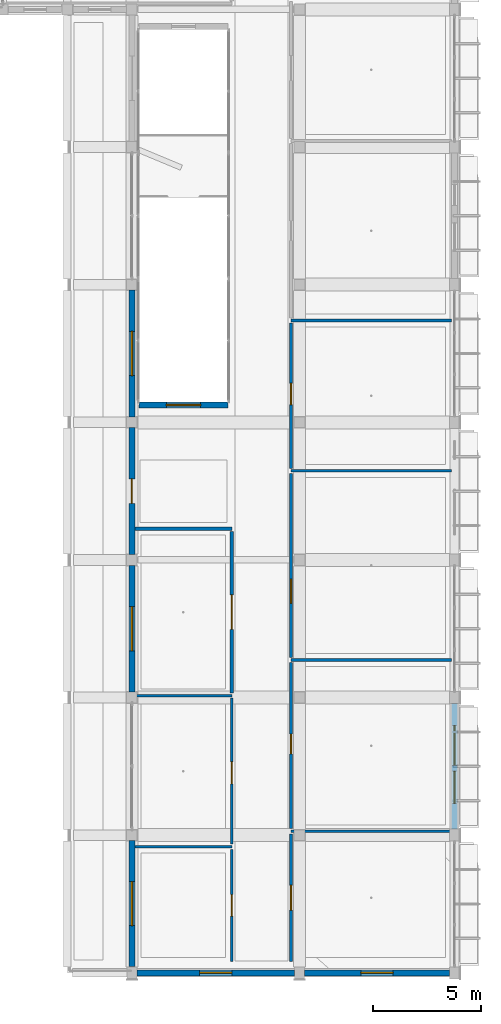
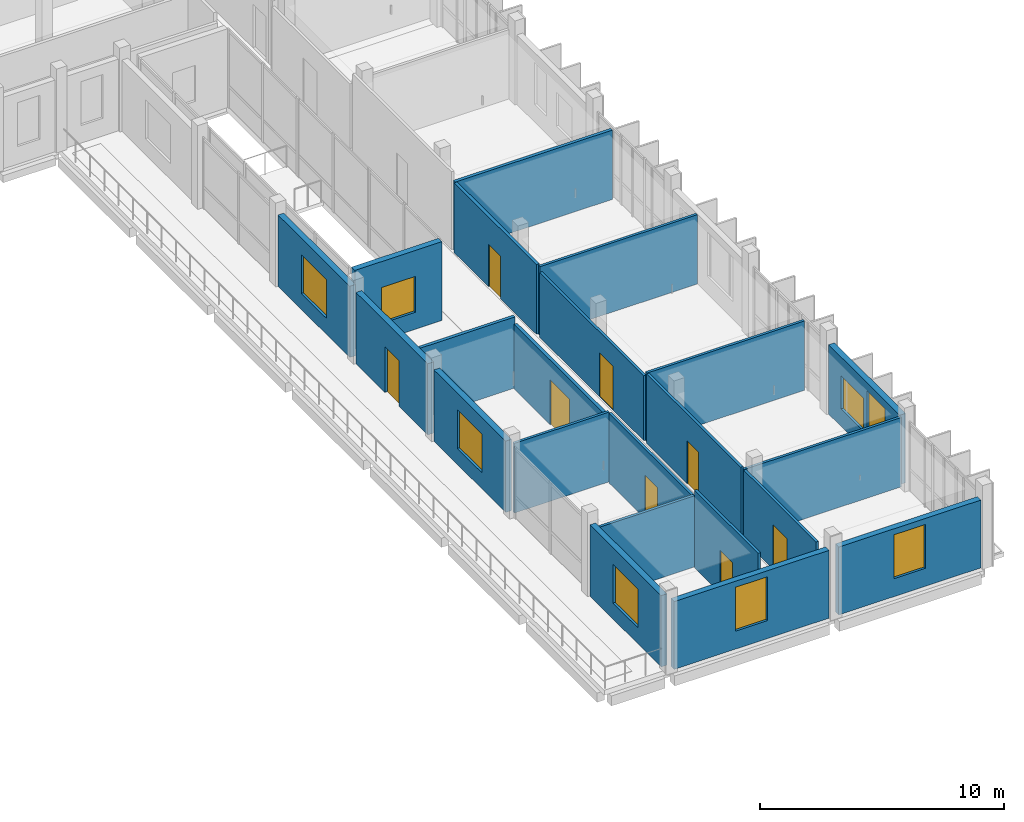
# One storey, part 52 of 85: 22 walls, 8 doors, 8 windows, 16 openings.
"""IFC4 building model written with IfcOpenShell, lengths in metres."""

from ifc_helpers import new_model, si_unit, derived_unit, direction, frame, frame_2d, origin, origin_with_axes, place, context, subcontext, project, spatial, rectangle, extrude, material, layer, layer_set, type_object, element, fill, save


model = new_model("IFC4")

# Units and contexts
model_context = context("Model", 3, precision=1e-05, world=origin(), true_north=direction((0.0, 1.0)))
body_context = subcontext(model_context, "Body", "Model", "MODEL_VIEW")
ifc_project = project(units=[si_unit("LENGTHUNIT", "METRE"), si_unit("AREAUNIT", "SQUARE_METRE"), si_unit("VOLUMEUNIT", "CUBIC_METRE"), si_unit("PLANEANGLEUNIT", "RADIAN"), si_unit("MASSUNIT", "GRAM", prefix="KILO"), derived_unit("THERMALTRANSMITTANCEUNIT", [(si_unit("POWERUNIT", "WATT"), 1), (si_unit("LENGTHUNIT", "METRE"), -2), (si_unit("THERMODYNAMICTEMPERATUREUNIT", "KELVIN"), -1)])], contexts=[model_context])

# Site, building, storey
site_placement = place(None, origin())
site = spatial("IfcSite", under=ifc_project, at=site_placement, CompositionType="ELEMENT")
building_placement = place(site_placement, origin())
building = spatial("IfcBuilding", under=site, at=building_placement, Name="Braskholm Square Health Centre", CompositionType="ELEMENT")
storey_placement = place(building_placement, frame((0.0, 0.0, 9.300048828125)))
storey = spatial("IfcBuildingStorey", under=building, at=storey_placement, Name="L03", CompositionType="ELEMENT", Elevation=9.300048828125)

# Wall, opening, door
ifc_material_1 = material(Name="Acoustic gypsum board partition")
ifc_layer_1 = layer(ifc_material_1, 0.125)
ifc_layer_set_1 = layer_set([ifc_layer_1], Name="Acoustic gypsum board partition")
wall_type_1 = type_object("IfcWallType", Name="ClinicalExamPartition125", PredefinedType="PARTITIONING", material=ifc_layer_set_1)
wall_1_placement = place(storey_placement, frame((156.199951171875, 4.719970703125, 0.0), z_axis=(0.0, 0.0, 1.0), x_axis=(0.0, 1.0, 0.0)))
wall_1 = element("IfcWall", 1, at=wall_1_placement, inside=storey, type_object=wall_type_1, Name="Interior partition PWALL-L03-0382", PredefinedType="PARTITIONING", context=body_context, shape_type="SweptSolid", body=[
    extrude(rectangle(XDim=5.93994140625, YDim=0.125, at=frame_2d((2.969970703125, 0.0))), origin(), (0.0, 0.0, 1.0), 3.494873046875),
])
opening_1_placement = place(wall_1_placement, frame((2.39990234375, 0.0, 0.0)))
opening_1 = element("IfcOpeningElement", 2, at=opening_1_placement, cuts=wall_1, Name="Opening D-26", PredefinedType="OPENING", context=body_context, shape_type="SweptSolid", body=[
    extrude(rectangle(XDim=1.139892578125, YDim=2.219970703125, at=frame_2d((0.56982421875, 1.10986328125))), frame((0.0, 0.072509765625, 0.0), z_axis=(0.0, -1.0, 0.0), x_axis=(1.0, 0.0, 0.0)), (0.0, 0.0, 1.0), 0.14501953125),
])
ifc_material_2 = material(Name="Architectural bronze anodised aluminium", Category="aluminium")
door_type_1 = type_object("IfcDoorType", Name="DoorExamWide1140x2220", OperationType="NOTDEFINED", PredefinedType="DOOR", material=ifc_material_2)
door_1_placement = place(opening_1_placement, frame((1.139892578125, 0.0, 0.0), z_axis=(0.0, 0.0, 1.0), x_axis=(-1.0, 0.0, 0.0)))
door_1 = element("IfcDoor", 3, at=door_1_placement, inside=storey, type_object=door_type_1, Name="Interior door 0179 L03", OperationType="SINGLE_SWING_LEFT", OverallHeight=2.219970703125, OverallWidth=1.139892578125, PredefinedType="DOOR", context=body_context, shape_type="SweptSolid", body=[
    extrude(rectangle(XDim=1.139892578125, YDim=2.219970703125, at=frame_2d((0.56982421875, 1.10986328125))), frame((0.0, 0.02490234375, 0.0), z_axis=(0.0, -1.0, 0.0), x_axis=(1.0, 0.0, 0.0)), (0.0, 0.0, 1.0), 0.050048828125),
])
fill(opening_1, door_1)

# Wall
wall_2_placement = place(storey_placement, frame((156.199951171875, 10.780029296875, 0.0), z_axis=(0.0, 0.0, 1.0), x_axis=(1.0, 0.0, 0.0)))
element("IfcWall", 4, at=wall_2_placement, inside=storey, type_object=wall_type_1, Name="Interior partition PWALL-L03-0383", PredefinedType="PARTITIONING", context=body_context, shape_type="SweptSolid", body=[
    extrude(rectangle(XDim=7.4599609375, YDim=0.125, at=frame_2d((3.72998046875, 0.0))), origin(), (0.0, 0.0, 1.0), 3.474853515625),
])

# Wall, opening, door
wall_3_placement = place(storey_placement, frame((156.199951171875, 10.89990234375, 0.0), z_axis=(0.0, 0.0, 1.0), x_axis=(0.0, 1.0, 0.0)))
wall_3 = element("IfcWall", 5, at=wall_3_placement, inside=storey, type_object=wall_type_1, Name="Interior partition PWALL-L03-0384", PredefinedType="PARTITIONING", context=body_context, shape_type="SweptSolid", body=[
    extrude(rectangle(XDim=7.72998046875, YDim=0.125, at=frame_2d((3.864990234375, 0.0))), origin(), (0.0, 0.0, 1.0), 3.494873046875),
])
opening_2_placement = place(wall_3_placement, frame((3.48193359375, 0.0, 0.0)))
opening_2 = element("IfcOpeningElement", 6, at=opening_2_placement, cuts=wall_3, Name="Opening D-01", PredefinedType="OPENING", context=body_context, shape_type="SweptSolid", body=[
    extrude(rectangle(XDim=0.919921875, YDim=2.14990234375, at=frame_2d((0.4599609375, 1.074951171875))), frame((0.0, 0.072509765625, 0.0), z_axis=(0.0, -1.0, 0.0), x_axis=(1.0, 0.0, 0.0)), (0.0, 0.0, 1.0), 0.14501953125),
])
door_type_2 = type_object("IfcDoorType", Name="DoorConsultSingle920x2150", OperationType="NOTDEFINED", PredefinedType="DOOR", material=ifc_material_2)
door_2_placement = place(opening_2_placement, frame((0.919921875, 0.0, 0.0), z_axis=(0.0, 0.0, 1.0), x_axis=(-1.0, 0.0, 0.0)))
door_2 = element("IfcDoor", 7, at=door_2_placement, inside=storey, type_object=door_type_2, Name="Interior door 0180 L03", OperationType="SINGLE_SWING_RIGHT", OverallHeight=2.14990234375, OverallWidth=0.919921875, PredefinedType="DOOR", context=body_context, shape_type="SweptSolid", body=[
    extrude(rectangle(XDim=0.919921875, YDim=2.14990234375, at=frame_2d((0.4599609375, 1.074951171875))), frame((0.0, 0.02490234375, 0.0), z_axis=(0.0, -1.0, 0.0), x_axis=(1.0, 0.0, 0.0)), (0.0, 0.0, 1.0), 0.050048828125),
])
fill(opening_2, door_2)

# Wall
wall_4_placement = place(storey_placement, frame((156.199951171875, 18.75, 0.0), z_axis=(0.0, 0.0, 1.0), x_axis=(1.0, 0.0, 0.0)))
element("IfcWall", 8, at=wall_4_placement, inside=storey, type_object=wall_type_1, Name="Interior partition PWALL-L03-0385", PredefinedType="PARTITIONING", context=body_context, shape_type="SweptSolid", body=[
    extrude(rectangle(XDim=7.4599609375, YDim=0.125, at=frame_2d((3.72998046875, 0.0))), origin(), (0.0, 0.0, 1.0), 3.474853515625),
])

# Wall, opening, door
wall_5_placement = place(storey_placement, frame((156.199951171875, 18.8701171875, 0.0), z_axis=(0.0, 0.0, 1.0), x_axis=(0.0, 1.0, 0.0)))
wall_5 = element("IfcWall", 9, at=wall_5_placement, inside=storey, type_object=wall_type_1, Name="Interior partition PWALL-L03-0386", PredefinedType="PARTITIONING", context=body_context, shape_type="SweptSolid", body=[
    extrude(rectangle(XDim=8.5498046875, YDim=0.125, at=frame_2d((4.27490234375, 0.0))), origin(), (0.0, 0.0, 1.0), 3.244873046875),
])
opening_3_placement = place(wall_5_placement, frame((2.512939453125, 0.0, 0.0)))
opening_3 = element("IfcOpeningElement", 10, at=opening_3_placement, cuts=wall_5, Name="Opening D-03", PredefinedType="OPENING", context=body_context, shape_type="SweptSolid", body=[
    extrude(rectangle(XDim=1.1201171875, YDim=2.199951171875, at=frame_2d((0.56005859375, 1.10009765625))), frame((0.0, 0.072509765625, 0.0), z_axis=(0.0, -1.0, 0.0), x_axis=(1.0, 0.0, 0.0)), (0.0, 0.0, 1.0), 0.14501953125),
])
door_type_3 = type_object("IfcDoorType", Name="DoorProcedure1120x2200", OperationType="NOTDEFINED", PredefinedType="DOOR", material=ifc_material_2)
door_3_placement = place(opening_3_placement, frame((1.1201171875, 0.0, 0.0), z_axis=(0.0, 0.0, 1.0), x_axis=(-1.0, 0.0, 0.0)))
door_3 = element("IfcDoor", 11, at=door_3_placement, inside=storey, type_object=door_type_3, Name="Interior door 0181 L03", OperationType="SINGLE_SWING_LEFT", OverallHeight=2.199951171875, OverallWidth=1.1201171875, PredefinedType="DOOR", context=body_context, shape_type="SweptSolid", body=[
    extrude(rectangle(XDim=1.1201171875, YDim=2.199951171875, at=frame_2d((0.56005859375, 1.10009765625))), frame((0.0, 0.02490234375, 0.0), z_axis=(0.0, -1.0, 0.0), x_axis=(1.0, 0.0, 0.0)), (0.0, 0.0, 1.0), 0.050048828125),
])
fill(opening_3, door_3)

# Wall
wall_6_placement = place(storey_placement, frame((156.199951171875, 27.5400390625, 0.0), z_axis=(0.0, 0.0, 1.0), x_axis=(1.0, 0.0, 0.0)))
element("IfcWall", 12, at=wall_6_placement, inside=storey, type_object=wall_type_1, Name="Interior partition PWALL-L03-0387", PredefinedType="PARTITIONING", context=body_context, shape_type="SweptSolid", body=[
    extrude(rectangle(XDim=7.4599609375, YDim=0.125, at=frame_2d((3.72998046875, 0.0))), origin(), (0.0, 0.0, 1.0), 3.474853515625),
])

# Wall, opening, door
wall_7_placement = place(storey_placement, frame((153.449951171875, 4.719970703125, 0.0), z_axis=(0.0, 0.0, 1.0), x_axis=(0.0, 1.0, 0.0)))
wall_7 = element("IfcWall", 13, at=wall_7_placement, inside=storey, type_object=wall_type_1, Name="Interior partition PWALL-L03-0409", PredefinedType="PARTITIONING", context=body_context, shape_type="SweptSolid", body=[
    extrude(rectangle(XDim=5.219970703125, YDim=0.125, at=frame_2d((2.60986328125, 0.0))), origin(), (0.0, 0.0, 1.0), 3.89501953125),
])
opening_4_placement = place(wall_7_placement, frame((2.110107421875, 0.0, 0.0)))
opening_4 = element("IfcOpeningElement", 14, at=opening_4_placement, cuts=wall_7, Name="Opening D-02", PredefinedType="OPENING", context=body_context, shape_type="SweptSolid", body=[
    extrude(rectangle(XDim=1.0, YDim=2.14990234375, at=frame_2d((0.5, 1.074951171875))), frame((0.0, 0.072509765625, 0.0), z_axis=(0.0, -1.0, 0.0), x_axis=(1.0, 0.0, 0.0)), (0.0, 0.0, 1.0), 0.14501953125),
])
door_type_4 = type_object("IfcDoorType", Name="DoorExamSingle1000x2150", OperationType="NOTDEFINED", PredefinedType="DOOR", material=ifc_material_2)
door_4_placement = place(opening_4_placement, origin_with_axes())
door_4 = element("IfcDoor", 15, at=door_4_placement, inside=storey, type_object=door_type_4, Name="Interior door 0193 L03", OperationType="SINGLE_SWING_LEFT", OverallHeight=2.14990234375, OverallWidth=1.0, PredefinedType="DOOR", context=body_context, shape_type="SweptSolid", body=[
    extrude(rectangle(XDim=1.0, YDim=2.14990234375, at=frame_2d((0.5, 1.074951171875))), frame((0.0, 0.02490234375, 0.0), z_axis=(0.0, -1.0, 0.0), x_axis=(1.0, 0.0, 0.0)), (0.0, 0.0, 1.0), 0.050048828125),
])
fill(opening_4, door_4)

# Wall
wall_8_placement = place(storey_placement, frame((148.93994140625, 10.06005859375, 0.0), z_axis=(0.0, 0.0, 1.0), x_axis=(1.0, 0.0, 0.0)))
element("IfcWall", 16, at=wall_8_placement, inside=storey, type_object=wall_type_1, Name="Interior partition PWALL-L03-0410", PredefinedType="PARTITIONING", context=body_context, shape_type="SweptSolid", body=[
    extrude(rectangle(XDim=4.510009765625, YDim=0.125, at=frame_2d((2.2548828125, 0.0))), origin(), (0.0, 0.0, 1.0), 3.56494140625),
])

# Wall, opening, door
wall_9_placement = place(storey_placement, frame((153.449951171875, 10.179931640625, 0.0), z_axis=(0.0, 0.0, 1.0), x_axis=(0.0, 1.0, 0.0)))
wall_9 = element("IfcWall", 17, at=wall_9_placement, inside=storey, type_object=wall_type_1, Name="Interior partition PWALL-L03-0411", PredefinedType="PARTITIONING", context=body_context, shape_type="SweptSolid", body=[
    extrude(rectangle(XDim=6.7900390625, YDim=0.125, at=frame_2d((3.39501953125, 0.0))), origin(), (0.0, 0.0, 1.0), 3.494873046875),
])
opening_5_placement = place(wall_9_placement, frame((2.81005859375, 0.0, 0.0)))
opening_5 = element("IfcOpeningElement", 18, at=opening_5_placement, cuts=wall_9, Name="Opening D-25", PredefinedType="OPENING", context=body_context, shape_type="SweptSolid", body=[
    extrude(rectangle(XDim=1.02001953125, YDim=2.179931640625, at=frame_2d((0.510009765625, 1.08984375))), frame((0.0, 0.072509765625, 0.0), z_axis=(0.0, -1.0, 0.0), x_axis=(1.0, 0.0, 0.0)), (0.0, 0.0, 1.0), 0.14501953125),
])
door_type_5 = type_object("IfcDoorType", Name="DoorConsultWide1020x2180", OperationType="NOTDEFINED", PredefinedType="DOOR", material=ifc_material_2)
door_5_placement = place(opening_5_placement, origin_with_axes())
door_5 = element("IfcDoor", 19, at=door_5_placement, inside=storey, type_object=door_type_5, Name="Interior door 0194 L03", OperationType="SINGLE_SWING_RIGHT", OverallHeight=2.179931640625, OverallWidth=1.02001953125, PredefinedType="DOOR", context=body_context, shape_type="SweptSolid", body=[
    extrude(rectangle(XDim=1.02001953125, YDim=2.179931640625, at=frame_2d((0.510009765625, 1.08984375))), frame((0.0, 0.02490234375, 0.0), z_axis=(0.0, -1.0, 0.0), x_axis=(1.0, 0.0, 0.0)), (0.0, 0.0, 1.0), 0.050048828125),
])
fill(opening_5, door_5)

# Wall
wall_10_placement = place(storey_placement, frame((148.93994140625, 17.090087890625, 0.0), z_axis=(0.0, 0.0, 1.0), x_axis=(1.0, 0.0, 0.0)))
element("IfcWall", 20, at=wall_10_placement, inside=storey, type_object=wall_type_1, Name="Interior partition PWALL-L03-0412", PredefinedType="PARTITIONING", context=body_context, shape_type="SweptSolid", body=[
    extrude(rectangle(XDim=4.510009765625, YDim=0.125, at=frame_2d((2.2548828125, 0.0))), origin(), (0.0, 0.0, 1.0), 3.494873046875),
])

# Wall, opening, door
ifc_layer_2 = layer(ifc_material_1, 0.14990234375)
ifc_layer_set_2 = layer_set([ifc_layer_2], Name="Acoustic gypsum board partition")
wall_type_2 = type_object("IfcWallType", Name="CorridorAcousticPartition150", PredefinedType="PARTITIONING", material=ifc_layer_set_2)
wall_11_placement = place(storey_placement, frame((156.199951171875, 27.659912109375, 0.0), z_axis=(0.0, 0.0, 1.0), x_axis=(0.0, 1.0, 0.0)))
wall_11 = element("IfcWall", 21, at=wall_11_placement, inside=storey, type_object=wall_type_2, Name="Interior partition PWALL-L03-0388", PredefinedType="PARTITIONING", context=body_context, shape_type="SweptSolid", body=[
    extrude(rectangle(XDim=6.760009765625, YDim=0.14990234375, at=frame_2d((3.3798828125, 0.0))), origin(), (0.0, 0.0, 1.0), 3.494873046875),
])
opening_6_placement = place(wall_11_placement, frame((2.965087890625, 0.0, 0.0)))
opening_6 = element("IfcOpeningElement", 22, at=opening_6_placement, cuts=wall_11, Name="Opening D-10", PredefinedType="OPENING", context=body_context, shape_type="SweptSolid", body=[
    extrude(rectangle(XDim=0.97998046875, YDim=2.1201171875, at=frame_2d((0.489990234375, 1.06005859375))), frame((0.0, 0.0849609375, 0.0), z_axis=(0.0, -1.0, 0.0), x_axis=(1.0, 0.0, 0.0)), (0.0, 0.0, 1.0), 0.169921875),
])
door_type_6 = type_object("IfcDoorType", Name="DoorUtilityStore980x2120", OperationType="NOTDEFINED", PredefinedType="DOOR", material=ifc_material_2)
door_6_placement = place(opening_6_placement, frame((0.97998046875, 0.0, 0.0), z_axis=(0.0, 0.0, 1.0), x_axis=(-1.0, 0.0, 0.0)))
door_6 = element("IfcDoor", 23, at=door_6_placement, inside=storey, type_object=door_type_6, Name="Interior door 0182 L03", OperationType="SINGLE_SWING_RIGHT", OverallHeight=2.1201171875, OverallWidth=0.97998046875, PredefinedType="DOOR", context=body_context, shape_type="SweptSolid", body=[
    extrude(rectangle(XDim=0.97998046875, YDim=2.1201171875, at=frame_2d((0.489990234375, 1.06005859375))), frame((0.0, 0.02490234375, 0.0), z_axis=(0.0, -1.0, 0.0), x_axis=(1.0, 0.0, 0.0)), (0.0, 0.0, 1.0), 0.050048828125),
])
fill(opening_6, door_6)

# Wall
wall_12_placement = place(storey_placement, frame((156.199951171875, 34.5400390625, 0.0), z_axis=(0.0, 0.0, 1.0), x_axis=(1.0, 0.0, 0.0)))
element("IfcWall", 24, at=wall_12_placement, inside=storey, type_object=wall_type_2, Name="Interior partition PWALL-L03-0389", PredefinedType="PARTITIONING", context=body_context, shape_type="SweptSolid", body=[
    extrude(rectangle(XDim=7.4599609375, YDim=0.14990234375, at=frame_2d((3.72998046875, 0.0))), origin(), (0.0, 0.0, 1.0), 3.474853515625),
])

# Wall, opening, door
wall_13_placement = place(storey_placement, frame((153.449951171875, 17.2099609375, 0.0), z_axis=(0.0, 0.0, 1.0), x_axis=(0.0, 1.0, 0.0)))
wall_13 = element("IfcWall", 25, at=wall_13_placement, inside=storey, type_object=wall_type_2, Name="Interior partition PWALL-L03-0413", PredefinedType="PARTITIONING", context=body_context, shape_type="SweptSolid", body=[
    extrude(rectangle(XDim=7.52001953125, YDim=0.14990234375, at=frame_2d((3.760009765625, 0.0))), origin(), (0.0, 0.0, 1.0), 3.244873046875),
])
opening_7_placement = place(wall_13_placement, frame((2.9599609375, 0.0, 0.0)))
opening_7 = element("IfcOpeningElement", 26, at=opening_7_placement, cuts=wall_13, Name="Opening D-11", PredefinedType="OPENING", context=body_context, shape_type="SweptSolid", body=[
    extrude(rectangle(XDim=1.60009765625, YDim=2.25, at=frame_2d((0.800048828125, 1.125))), frame((0.0, 0.0849609375, 0.0), z_axis=(0.0, -1.0, 0.0), x_axis=(1.0, 0.0, 0.0)), (0.0, 0.0, 1.0), 0.169921875),
])
door_type_7 = type_object("IfcDoorType", Name="DoorClassroomDouble1600x2250", OperationType="DOUBLE_DOOR_SINGLE_SWING", PredefinedType="DOOR", material=ifc_material_2)
door_7_placement = place(opening_7_placement, origin_with_axes())
door_7 = element("IfcDoor", 27, at=door_7_placement, inside=storey, type_object=door_type_7, Name="Interior door 0195 L03", OperationType="DOUBLE_DOOR_SINGLE_SWING", OverallHeight=2.25, OverallWidth=1.60009765625, PredefinedType="DOOR", context=body_context, shape_type="SweptSolid", body=[
    extrude(rectangle(XDim=1.60009765625, YDim=2.25, at=frame_2d((0.800048828125, 1.125))), frame((0.0, 0.02490234375, 0.0), z_axis=(0.0, -1.0, 0.0), x_axis=(1.0, 0.0, 0.0)), (0.0, 0.0, 1.0), 0.050048828125),
])
fill(opening_7, door_7)

# Wall
wall_14_placement = place(storey_placement, frame((148.93994140625, 24.85009765625, 0.0), z_axis=(0.0, 0.0, 1.0), x_axis=(1.0, 0.0, 0.0)))
element("IfcWall", 28, at=wall_14_placement, inside=storey, type_object=wall_type_2, Name="Interior partition PWALL-L03-0414", PredefinedType="PARTITIONING", context=body_context, shape_type="SweptSolid", body=[
    extrude(rectangle(XDim=4.510009765625, YDim=0.14990234375, at=frame_2d((2.2548828125, 0.0))), origin(), (0.0, 0.0, 1.0), 3.56494140625),
])

# Wall, openings, windows
ifc_material_3 = material(Name="Precast concrete C40/50 architectural white", Category="concrete")
ifc_layer_3 = layer(ifc_material_3, 0.280029296875)
ifc_layer_set_3 = layer_set([ifc_layer_3], Name="Precast concrete C40/50 architectural white")
wall_type_3 = type_object("IfcWallType", Name="ExteriorPrecastSpandrelWall280", PredefinedType="SOLIDWALL", material=ifc_layer_set_3)
wall_15_placement = place(storey_placement, frame((163.800048828125, 10.882080078125, 0.0), z_axis=(0.0, 0.0, 1.0), x_axis=(0.0, 1.0, 0.0)))
wall_15 = element("IfcWall", 29, at=wall_15_placement, inside=storey, type_object=wall_type_3, Name="Exterior wall EWALL-L03-0070", PredefinedType="SOLIDWALL", context=body_context, shape_type="SweptSolid", body=[
    extrude(rectangle(XDim=5.8359375, YDim=0.280029296875, at=frame_2d((2.91796875, 0.0))), origin(), (0.0, 0.0, 1.0), 3.47998046875),
])
opening_8_placement = place(wall_15_placement, frame((1.195068359375, 0.0, 0.8798828125)))
opening_8 = element("IfcOpeningElement", 30, at=opening_8_placement, cuts=wall_15, Name="Opening WN-03", PredefinedType="OPENING", context=body_context, shape_type="SweptSolid", body=[
    extrude(rectangle(XDim=1.5, YDim=2.199951171875, at=frame_2d((0.75, 1.10009765625))), frame((0.0, 0.14990234375, 0.0), z_axis=(0.0, -1.0, 0.0), x_axis=(1.0, 0.0, 0.0)), (0.0, 0.0, 1.0), 0.300048828125),
])
opening_9_placement = place(wall_15_placement, frame((2.966064453125, 0.0, 0.8798828125)))
opening_9 = element("IfcOpeningElement", 31, at=opening_9_placement, cuts=wall_15, Name="Opening WN-20", PredefinedType="OPENING", context=body_context, shape_type="SweptSolid", body=[
    extrude(rectangle(XDim=1.85009765625, YDim=1.64990234375, at=frame_2d((0.925048828125, 0.824951171875))), frame((0.0, 0.14990234375, 0.0), z_axis=(0.0, -1.0, 0.0), x_axis=(1.0, 0.0, 0.0)), (0.0, 0.0, 1.0), 0.300048828125),
])
ifc_material_4 = material(Name="Low-E triple insulating glass (VLT 0.64)", Category="glass")
window_type_1 = type_object("IfcWindowType", Name="WinArtDecoTwin1500x2200", PartitioningType="SINGLE_PANEL", PredefinedType="WINDOW", material=ifc_material_4)
window_1_placement = place(opening_8_placement, origin_with_axes())
window_1 = element("IfcWindow", 32, at=window_1_placement, inside=storey, type_object=window_type_1, Name="Exterior window 0121 L03", OverallHeight=2.199951171875, OverallWidth=1.5, PartitioningType="SINGLE_PANEL", PredefinedType="WINDOW", context=body_context, shape_type="SweptSolid", body=[
    extrude(rectangle(XDim=1.5, YDim=2.199951171875, at=frame_2d((0.75, 1.10009765625))), frame((0.0, 0.030029296875, 0.0), z_axis=(0.0, -1.0, 0.0), x_axis=(1.0, 0.0, 0.0)), (0.0, 0.0, 1.0), 0.06005859375),
])
fill(opening_8, window_1)
window_type_2 = type_object("IfcWindowType", Name="WinBehavioralGroup1850x1650", PartitioningType="SINGLE_PANEL", PredefinedType="WINDOW", material=ifc_material_4)
window_2_placement = place(opening_9_placement, origin_with_axes())
window_2 = element("IfcWindow", 33, at=window_2_placement, inside=storey, type_object=window_type_2, Name="Exterior window 0122 L03", OverallHeight=1.64990234375, OverallWidth=1.85009765625, PartitioningType="SINGLE_PANEL", PredefinedType="WINDOW", context=body_context, shape_type="SweptSolid", body=[
    extrude(rectangle(XDim=1.85009765625, YDim=1.64990234375, at=frame_2d((0.925048828125, 0.824951171875))), frame((0.0, 0.030029296875, 0.0), z_axis=(0.0, -1.0, 0.0), x_axis=(1.0, 0.0, 0.0)), (0.0, 0.0, 1.0), 0.06005859375),
])
fill(opening_9, window_2)

# Wall, opening, window
wall_16_placement = place(storey_placement, frame((148.800048828125, 10.347900390625, 0.0), z_axis=(0.0, 0.0, 1.0), x_axis=(0.0, -1.0, 0.0)))
wall_16 = element("IfcWall", 34, at=wall_16_placement, inside=storey, type_object=wall_type_3, Name="Exterior wall EWALL-L03-0182", PredefinedType="SOLIDWALL", context=body_context, shape_type="SweptSolid", body=[
    extrude(rectangle(XDim=5.865966796875, YDim=0.280029296875, at=frame_2d((2.93310546875, 0.0))), origin(), (0.0, 0.0, 1.0), 3.570068359375),
])
opening_10_placement = place(wall_16_placement, frame((1.907958984375, 0.0, 0.800048828125)))
opening_10 = element("IfcOpeningElement", 35, at=opening_10_placement, cuts=wall_16, Name="Opening WN-25", PredefinedType="OPENING", context=body_context, shape_type="SweptSolid", body=[
    extrude(rectangle(XDim=2.050048828125, YDim=1.949951171875, at=frame_2d((1.02490234375, 0.97509765625))), frame((0.0, 0.14990234375, 0.0), z_axis=(0.0, -1.0, 0.0), x_axis=(1.0, 0.0, 0.0)), (0.0, 0.0, 1.0), 0.300048828125),
])
window_type_3 = type_object("IfcWindowType", Name="WinValleyTerrace2050x1950", PartitioningType="SINGLE_PANEL", PredefinedType="WINDOW", material=ifc_material_4)
window_3_placement = place(opening_10_placement, origin_with_axes())
window_3 = element("IfcWindow", 36, at=window_3_placement, inside=storey, type_object=window_type_3, Name="Exterior window 0241 L03", OverallHeight=1.949951171875, OverallWidth=2.050048828125, PartitioningType="SINGLE_PANEL", PredefinedType="WINDOW", context=body_context, shape_type="SweptSolid", body=[
    extrude(rectangle(XDim=2.050048828125, YDim=1.949951171875, at=frame_2d((1.02490234375, 0.97509765625))), frame((0.0, 0.030029296875, 0.0), z_axis=(0.0, -1.0, 0.0), x_axis=(1.0, 0.0, 0.0)), (0.0, 0.0, 1.0), 0.06005859375),
])
fill(opening_10, window_3)

wall_17_placement = place(storey_placement, frame((148.800048828125, 23.14794921875, 0.0), z_axis=(0.0, 0.0, 1.0), x_axis=(0.0, -1.0, 0.0)))
wall_17 = element("IfcWall", 37, at=wall_17_placement, inside=storey, type_object=wall_type_3, Name="Exterior wall EWALL-L03-0183", PredefinedType="SOLIDWALL", context=body_context, shape_type="SweptSolid", body=[
    extrude(rectangle(XDim=5.89599609375, YDim=0.280029296875, at=frame_2d((2.947998046875, 0.0))), origin(), (0.0, 0.0, 1.0), 3.570068359375),
])
opening_11_placement = place(wall_17_placement, frame((1.923095703125, 0.0, 0.800048828125)))
opening_11 = element("IfcOpeningElement", 38, at=opening_11_placement, cuts=wall_17, Name="Opening WN-25", PredefinedType="OPENING", context=body_context, shape_type="SweptSolid", body=[
    extrude(rectangle(XDim=2.050048828125, YDim=1.949951171875, at=frame_2d((1.02490234375, 0.97509765625))), frame((0.0, 0.14990234375, 0.0), z_axis=(0.0, -1.0, 0.0), x_axis=(1.0, 0.0, 0.0)), (0.0, 0.0, 1.0), 0.300048828125),
])
window_4_placement = place(opening_11_placement, origin_with_axes())
window_4 = element("IfcWindow", 39, at=window_4_placement, inside=storey, type_object=window_type_3, Name="Exterior window 0242 L03", OverallHeight=1.949951171875, OverallWidth=2.050048828125, PartitioningType="SINGLE_PANEL", PredefinedType="WINDOW", context=body_context, shape_type="SweptSolid", body=[
    extrude(rectangle(XDim=2.050048828125, YDim=1.949951171875, at=frame_2d((1.02490234375, 0.97509765625))), frame((0.0, 0.030029296875, 0.0), z_axis=(0.0, -1.0, 0.0), x_axis=(1.0, 0.0, 0.0)), (0.0, 0.0, 1.0), 0.06005859375),
])
fill(opening_11, window_4)

# Wall, opening, door
wall_18_placement = place(storey_placement, frame((148.800048828125, 29.548095703125, 0.0), z_axis=(0.0, 0.0, 1.0), x_axis=(0.0, -1.0, 0.0)))
wall_18 = element("IfcWall", 40, at=wall_18_placement, inside=storey, type_object=wall_type_3, Name="Exterior wall EWALL-L03-0184", PredefinedType="SOLIDWALL", context=body_context, shape_type="SweptSolid", body=[
    extrude(rectangle(XDim=5.89599609375, YDim=0.280029296875, at=frame_2d((2.947998046875, 0.0))), origin(), (0.0, 0.0, 1.0), 3.570068359375),
])
opening_12_placement = place(wall_18_placement, frame((2.3779296875, 0.0, 0.0)))
opening_12 = element("IfcOpeningElement", 41, at=opening_12_placement, cuts=wall_18, Name="Opening D-T1", PredefinedType="OPENING", context=body_context, shape_type="SweptSolid", body=[
    extrude(rectangle(XDim=1.139892578125, YDim=2.300048828125, at=frame_2d((0.56982421875, 1.14990234375))), frame((0.0, 0.14990234375, 0.0), z_axis=(0.0, -1.0, 0.0), x_axis=(1.0, 0.0, 0.0)), (0.0, 0.0, 1.0), 0.300048828125),
])
door_type_8 = type_object("IfcDoorType", Name="DoorPlantedTerrace1140x2300", OperationType="NOTDEFINED", PredefinedType="DOOR", material=ifc_material_4)
door_8_placement = place(opening_12_placement, frame((1.139892578125, 0.0, 0.0), z_axis=(0.0, 0.0, 1.0), x_axis=(-1.0, 0.0, 0.0)))
door_8 = element("IfcDoor", 42, at=door_8_placement, inside=storey, type_object=door_type_8, Name="Exterior door 0027 L03", OperationType="SINGLE_SWING_RIGHT", OverallHeight=2.300048828125, OverallWidth=1.139892578125, PredefinedType="DOOR", context=body_context, shape_type="SweptSolid", body=[
    extrude(rectangle(XDim=1.139892578125, YDim=2.300048828125, at=frame_2d((0.56982421875, 1.14990234375))), frame((0.0, 0.02490234375, 0.0), z_axis=(0.0, -1.0, 0.0), x_axis=(1.0, 0.0, 0.0)), (0.0, 0.0, 1.0), 0.050048828125),
])
fill(opening_12, door_8)

# Wall, opening, window
wall_19_placement = place(storey_placement, frame((148.800048828125, 35.947998046875, 0.0), z_axis=(0.0, 0.0, 1.0), x_axis=(0.0, -1.0, 0.0)))
wall_19 = element("IfcWall", 43, at=wall_19_placement, inside=storey, type_object=wall_type_3, Name="Exterior wall EWALL-L03-0185", PredefinedType="SOLIDWALL", context=body_context, shape_type="SweptSolid", body=[
    extrude(rectangle(XDim=5.89599609375, YDim=0.280029296875, at=frame_2d((2.947998046875, 0.0))), origin(), (0.0, 0.0, 1.0), 3.570068359375),
])
opening_13_placement = place(wall_19_placement, frame((1.923095703125, 0.0, 0.800048828125)))
opening_13 = element("IfcOpeningElement", 44, at=opening_13_placement, cuts=wall_19, Name="Opening WN-25", PredefinedType="OPENING", context=body_context, shape_type="SweptSolid", body=[
    extrude(rectangle(XDim=2.050048828125, YDim=1.949951171875, at=frame_2d((1.02490234375, 0.97509765625))), frame((0.0, 0.14990234375, 0.0), z_axis=(0.0, -1.0, 0.0), x_axis=(1.0, 0.0, 0.0)), (0.0, 0.0, 1.0), 0.300048828125),
])
window_5_placement = place(opening_13_placement, origin_with_axes())
window_5 = element("IfcWindow", 45, at=window_5_placement, inside=storey, type_object=window_type_3, Name="Exterior window 0243 L03", OverallHeight=1.949951171875, OverallWidth=2.050048828125, PartitioningType="SINGLE_PANEL", PredefinedType="WINDOW", context=body_context, shape_type="SweptSolid", body=[
    extrude(rectangle(XDim=2.050048828125, YDim=1.949951171875, at=frame_2d((1.02490234375, 0.97509765625))), frame((0.0, 0.030029296875, 0.0), z_axis=(0.0, -1.0, 0.0), x_axis=(1.0, 0.0, 0.0)), (0.0, 0.0, 1.0), 0.06005859375),
])
fill(opening_13, window_5)

wall_20_placement = place(storey_placement, frame((149.031982421875, 4.199951171875, 0.0), z_axis=(0.0, 0.0, 1.0), x_axis=(1.0, 0.0, 0.0)))
wall_20 = element("IfcWall", 46, at=wall_20_placement, inside=storey, type_object=wall_type_3, Name="Exterior wall EWALL-L03-0243", PredefinedType="SOLIDWALL", context=body_context, shape_type="SweptSolid", body=[
    extrude(rectangle(XDim=7.3359375, YDim=0.280029296875, at=frame_2d((3.66796875, 0.0))), origin(), (0.0, 0.0, 1.0), 3.39990234375),
])
opening_14_placement = place(wall_20_placement, frame((2.91796875, 0.0, 0.89990234375)))
opening_14 = element("IfcOpeningElement", 47, at=opening_14_placement, cuts=wall_20, Name="Opening WN-03", PredefinedType="OPENING", context=body_context, shape_type="SweptSolid", body=[
    extrude(rectangle(XDim=1.5, YDim=2.199951171875, at=frame_2d((0.75, 1.10009765625))), frame((0.0, 0.14990234375, 0.0), z_axis=(0.0, -1.0, 0.0), x_axis=(1.0, 0.0, 0.0)), (0.0, 0.0, 1.0), 0.300048828125),
])
window_6_placement = place(opening_14_placement, origin_with_axes())
window_6 = element("IfcWindow", 48, at=window_6_placement, inside=storey, type_object=window_type_1, Name="Exterior window 0295 L03", OverallHeight=2.199951171875, OverallWidth=1.5, PartitioningType="SINGLE_PANEL", PredefinedType="WINDOW", context=body_context, shape_type="SweptSolid", body=[
    extrude(rectangle(XDim=1.5, YDim=2.199951171875, at=frame_2d((0.75, 1.10009765625))), frame((0.0, 0.030029296875, 0.0), z_axis=(0.0, -1.0, 0.0), x_axis=(1.0, 0.0, 0.0)), (0.0, 0.0, 1.0), 0.06005859375),
])
fill(opening_14, window_6)

wall_21_placement = place(storey_placement, frame((156.83203125, 4.199951171875, 0.0), z_axis=(0.0, 0.0, 1.0), x_axis=(1.0, 0.0, 0.0)))
wall_21 = element("IfcWall", 49, at=wall_21_placement, inside=storey, type_object=wall_type_3, Name="Exterior wall EWALL-L03-0244", PredefinedType="SOLIDWALL", context=body_context, shape_type="SweptSolid", body=[
    extrude(rectangle(XDim=6.736083984375, YDim=0.280029296875, at=frame_2d((3.3681640625, 0.0))), origin(), (0.0, 0.0, 1.0), 3.39990234375),
])
opening_15_placement = place(wall_21_placement, frame((2.617919921875, 0.0, 0.89990234375)))
opening_15 = element("IfcOpeningElement", 50, at=opening_15_placement, cuts=wall_21, Name="Opening WN-03", PredefinedType="OPENING", context=body_context, shape_type="SweptSolid", body=[
    extrude(rectangle(XDim=1.5, YDim=2.199951171875, at=frame_2d((0.75, 1.10009765625))), frame((0.0, 0.14990234375, 0.0), z_axis=(0.0, -1.0, 0.0), x_axis=(1.0, 0.0, 0.0)), (0.0, 0.0, 1.0), 0.300048828125),
])
window_7_placement = place(opening_15_placement, origin_with_axes())
window_7 = element("IfcWindow", 51, at=window_7_placement, inside=storey, type_object=window_type_1, Name="Exterior window 0296 L03", OverallHeight=2.199951171875, OverallWidth=1.5, PartitioningType="SINGLE_PANEL", PredefinedType="WINDOW", context=body_context, shape_type="SweptSolid", body=[
    extrude(rectangle(XDim=1.5, YDim=2.199951171875, at=frame_2d((0.75, 1.10009765625))), frame((0.0, 0.030029296875, 0.0), z_axis=(0.0, -1.0, 0.0), x_axis=(1.0, 0.0, 0.0)), (0.0, 0.0, 1.0), 0.06005859375),
])
fill(opening_15, window_7)

wall_22_placement = place(storey_placement, frame((153.26611328125, 30.60009765625, 0.0), z_axis=(0.0, 0.0, 1.0), x_axis=(-1.0, 0.0, 0.0)))
wall_22 = element("IfcWall", 52, at=wall_22_placement, inside=storey, type_object=wall_type_3, Name="Exterior wall EWALL-L03-0311", PredefinedType="SOLIDWALL", context=body_context, shape_type="SweptSolid", body=[
    extrude(rectangle(XDim=4.132080078125, YDim=0.280029296875, at=frame_2d((2.06591796875, 0.0))), origin(), (0.0, 0.0, 1.0), 3.949951171875),
])
opening_16_placement = place(wall_22_placement, frame((1.26611328125, 0.0, 0.85009765625)))
opening_16 = element("IfcOpeningElement", 53, at=opening_16_placement, cuts=wall_22, Name="Opening WN-27", PredefinedType="OPENING", context=body_context, shape_type="SweptSolid", body=[
    extrude(rectangle(XDim=1.60009765625, YDim=1.800048828125, at=frame_2d((0.800048828125, 0.89990234375))), frame((0.0, 0.14990234375, 0.0), z_axis=(0.0, -1.0, 0.0), x_axis=(1.0, 0.0, 0.0)), (0.0, 0.0, 1.0), 0.300048828125),
])
window_type_4 = type_object("IfcWindowType", Name="WinLightCourt1600x1800", PartitioningType="SINGLE_PANEL", PredefinedType="WINDOW", material=ifc_material_4)
window_8_placement = place(opening_16_placement, origin_with_axes())
window_8 = element("IfcWindow", 54, at=window_8_placement, inside=storey, type_object=window_type_4, Name="Exterior window 0357 L03", OverallHeight=1.800048828125, OverallWidth=1.60009765625, PartitioningType="SINGLE_PANEL", PredefinedType="WINDOW", context=body_context, shape_type="SweptSolid", body=[
    extrude(rectangle(XDim=1.60009765625, YDim=1.800048828125, at=frame_2d((0.800048828125, 0.89990234375))), frame((0.0, 0.030029296875, 0.0), z_axis=(0.0, -1.0, 0.0), x_axis=(1.0, 0.0, 0.0)), (0.0, 0.0, 1.0), 0.06005859375),
])
fill(opening_16, window_8)

save(model, "model.ifc")
